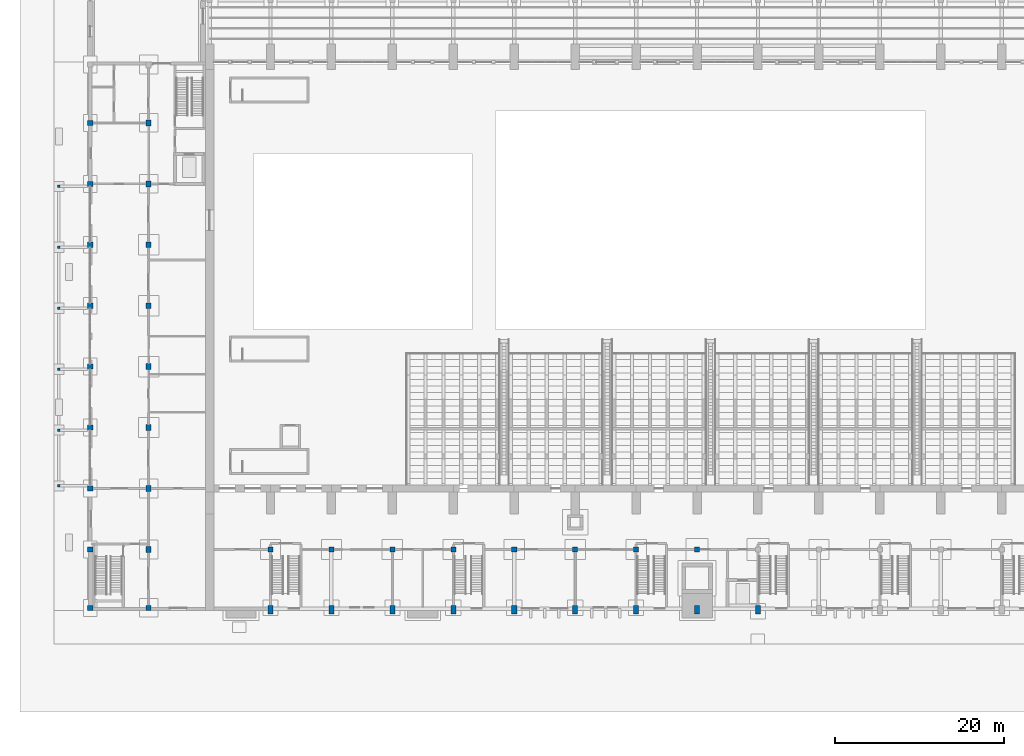
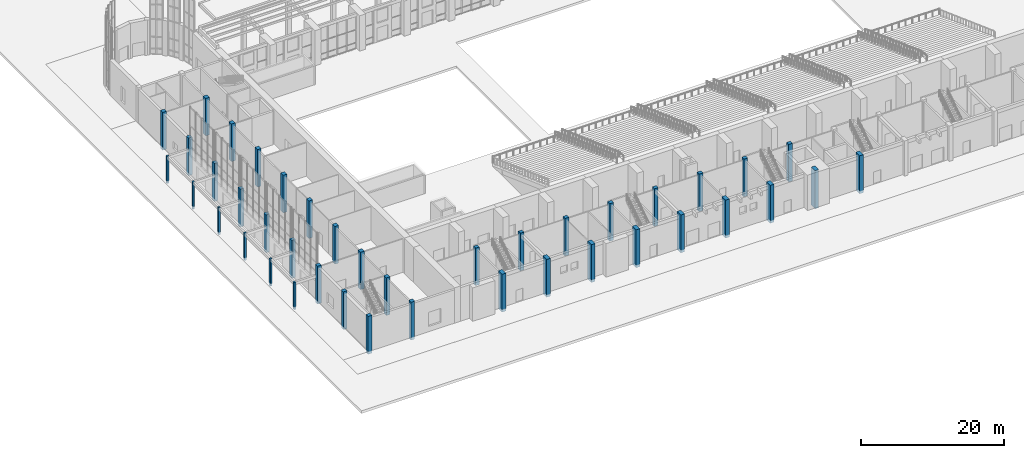
# One storey, part 4 of 70: 41 columns.
"""IFC4 building model written with IfcOpenShell, lengths in metres."""

from ifc_helpers import new_model, si_unit, direction, frame, origin, origin_2d, place, context, subcontext, project, spatial, rectangle, extrude, material, material_profile, profile_set, type_object, element, save


model = new_model("IFC4")

# Units and contexts
model_context = context("Model", 3, precision=1e-05, world=origin(), true_north=direction((0.0, 1.0)))
body_context = subcontext(model_context, "Body", "Model", "MODEL_VIEW")
ifc_project = project(units=[si_unit("LENGTHUNIT", "METRE"), si_unit("AREAUNIT", "SQUARE_METRE"), si_unit("VOLUMEUNIT", "CUBIC_METRE"), si_unit("PLANEANGLEUNIT", "RADIAN"), si_unit("MASSUNIT", "GRAM", prefix="KILO")], contexts=[model_context])

# Site, building, storey
site_placement = place(None, origin())
site = spatial("IfcSite", under=ifc_project, at=site_placement, CompositionType="ELEMENT")
building_placement = place(site_placement, origin())
building = spatial("IfcBuilding", under=site, at=building_placement, Name="Vermilion Court Aquatics Centre", CompositionType="ELEMENT")
storey_placement = place(building_placement, origin())
storey = spatial("IfcBuildingStorey", under=building, at=storey_placement, Name="L00", CompositionType="ELEMENT", Elevation=0.0)

# Columns
ifc_material_1 = material(Name="Concrete 5000 psi", Category="concrete")
ifc_material_profile_1 = material_profile(ifc_material_1, rectangle(XDim=0.300048828125, YDim=0.300048828125, at=origin_2d()), Name="RC 300x300")
ifc_profile_set_1 = profile_set([ifc_material_profile_1], Name="Concrete 5000 psi")
column_type_1 = type_object("IfcColumnType", Name="Foyer canopy column RC 300x300", PredefinedType="COLUMN", material=ifc_profile_set_1)
for number, where, z_axis, x_axis, name in (
    (1, (-3.39990234375, 14.699951171875, -0.449951171875), (0.0, 0.0, 1.0), (1.0, 0.0, 0.0), "Foyer canopy column"),
    (2, (-3.39990234375, 21.300048828125, -0.449951171875), (0.0, 0.0, 1.0), (1.0, 0.0, 0.0), "Foyer canopy column"),
    (3, (-3.39990234375, 28.5, -0.449951171875), (0.0, 0.0, 1.0), (1.0, 0.0, 0.0), "Foyer canopy column"),
    (4, (-3.39990234375, 35.699951171875, -0.449951171875), (0.0, 0.0, 1.0), (1.0, 0.0, 0.0), "Foyer canopy column"),
    (5, (-3.39990234375, 42.89990234375, -0.449951171875), (0.0, 0.0, 1.0), (1.0, 0.0, 0.0), "Foyer canopy column"),
    (6, (-3.39990234375, 50.10009765625, -0.449951171875), (0.0, 0.0, 1.0), (1.0, 0.0, 0.0), "Foyer canopy column"),
):
    element("IfcColumn", number, at=place(storey_placement, frame(where, z_axis=z_axis, x_axis=x_axis)), inside=storey, type_object=column_type_1, Name=name, PredefinedType="COLUMN", context=body_context, shape_type="SweptSolid", body=[
        extrude(rectangle(XDim=0.300048828125, YDim=0.300048828125, at=origin_2d()), origin(), (0.0, 0.0, 1.0), 4.64990234375),
    ])
ifc_material_2 = material(Name="Concrete 5000 psi", Category="concrete")
ifc_material_profile_2 = material_profile(ifc_material_2, rectangle(XDim=0.60009765625, YDim=0.60009765625, at=origin_2d()), Name="RC 600x600")
ifc_profile_set_2 = profile_set([ifc_material_profile_2], Name="Concrete 5000 psi")
column_type_2 = type_object("IfcColumnType", Name="Foyer column RC 600x600", PredefinedType="COLUMN", material=ifc_profile_set_2)
for number, where, z_axis, x_axis, name in (
    (7, (0.300048828125, 0.300048828125, -0.449951171875), (0.0, 0.0, 1.0), (1.0, 0.0, 0.0), "Foyer column 1"),
    (8, (0.300048828125, 7.199951171875, -0.449951171875), (0.0, 0.0, 1.0), (1.0, 0.0, 0.0), "Foyer column 2"),
    (9, (0.300048828125, 14.39990234375, -0.449951171875), (0.0, 0.0, 1.0), (1.0, 0.0, 0.0), "Foyer column 3"),
    (10, (0.300048828125, 21.60009765625, -0.449951171875), (0.0, 0.0, 1.0), (1.0, 0.0, 0.0), "Foyer column 4"),
    (11, (0.300048828125, 28.800048828125, -0.449951171875), (0.0, 0.0, 1.0), (1.0, 0.0, 0.0), "Foyer column 5"),
    (12, (0.300048828125, 36.0, -0.449951171875), (0.0, 0.0, 1.0), (1.0, 0.0, 0.0), "Foyer column 6"),
    (13, (0.300048828125, 43.199951171875, -0.449951171875), (0.0, 0.0, 1.0), (1.0, 0.0, 0.0), "Foyer column 7"),
    (14, (0.300048828125, 50.39990234375, -0.449951171875), (0.0, 0.0, 1.0), (1.0, 0.0, 0.0), "Foyer column 8"),
    (15, (0.300048828125, 57.60009765625, -0.449951171875), (0.0, 0.0, 1.0), (1.0, 0.0, 0.0), "Foyer column 9"),
    (16, (7.199951171875, 0.300048828125, -0.449951171875), (0.0, 0.0, 1.0), (1.0, 0.0, 0.0), "Foyer column 11"),
):
    element("IfcColumn", number, at=place(storey_placement, frame(where, z_axis=z_axis, x_axis=x_axis)), inside=storey, type_object=column_type_2, Name=name, PredefinedType="COLUMN", context=body_context, shape_type="SweptSolid", body=[
        extrude(rectangle(XDim=0.60009765625, YDim=0.60009765625, at=origin_2d()), origin(), (0.0, 0.0, 1.0), 6.449951171875),
    ])
ifc_material_3 = material(Name="Concrete 5000 psi", Category="concrete")
ifc_material_profile_3 = material_profile(ifc_material_3, rectangle(XDim=0.60009765625, YDim=0.699951171875, at=origin_2d()), Name="RC 600x700")
ifc_profile_set_3 = profile_set([ifc_material_profile_3], Name="Concrete 5000 psi")
column_type_3 = type_object("IfcColumnType", Name="Foyer column RC 600x700", PredefinedType="COLUMN", material=ifc_profile_set_3)
for number, where, z_axis, x_axis, name in (
    (17, (7.199951171875, 7.199951171875, -0.405029296875), (0.0, 0.0, 1.0), (1.0, 0.0, 0.0), "Foyer column 12"),
    (18, (7.199951171875, 14.39990234375, -0.405029296875), (0.0, 0.0, 1.0), (1.0, 0.0, 0.0), "Foyer column 13"),
    (19, (7.199951171875, 21.60009765625, -0.405029296875), (0.0, 0.0, 1.0), (1.0, 0.0, 0.0), "Foyer column 14"),
    (20, (7.199951171875, 28.800048828125, -0.405029296875), (0.0, 0.0, 1.0), (1.0, 0.0, 0.0), "Foyer column 15"),
    (21, (7.199951171875, 36.0, -0.405029296875), (0.0, 0.0, 1.0), (1.0, 0.0, 0.0), "Foyer column 16"),
    (22, (7.199951171875, 43.199951171875, -0.405029296875), (0.0, 0.0, 1.0), (1.0, 0.0, 0.0), "Foyer column 17"),
    (23, (7.199951171875, 50.39990234375, -0.405029296875), (0.0, 0.0, 1.0), (1.0, 0.0, 0.0), "Foyer column 18"),
    (24, (7.199951171875, 57.60009765625, -0.405029296875), (0.0, 0.0, 1.0), (1.0, 0.0, 0.0), "Foyer column 19"),
):
    element("IfcColumn", number, at=place(storey_placement, frame(where, z_axis=z_axis, x_axis=x_axis)), inside=storey, type_object=column_type_3, Name=name, PredefinedType="COLUMN", context=body_context, shape_type="SweptSolid", body=[
        extrude(rectangle(XDim=0.60009765625, YDim=0.699951171875, at=origin_2d()), origin(), (0.0, 0.0, 1.0), 6.405029296875),
    ])
ifc_material_4 = material(Name="Concrete 5000 psi", Category="concrete")
ifc_material_profile_4 = material_profile(ifc_material_4, rectangle(XDim=0.60009765625, YDim=0.60009765625, at=origin_2d()), Name="RC 600x600")
ifc_profile_set_4 = profile_set([ifc_material_profile_4], Name="Concrete 5000 psi")
column_type_4 = type_object("IfcColumnType", Name="South column RC 600x600", PredefinedType="COLUMN", material=ifc_profile_set_4)
for number, where, z_axis, x_axis, name in (
    (25, (21.60009765625, 7.199951171875, -0.405029296875), (0.0, 0.0, 1.0), (1.0, 0.0, 0.0), "Column B1"),
    (26, (28.800048828125, 7.199951171875, -0.405029296875), (0.0, 0.0, 1.0), (1.0, 0.0, 0.0), "Column B2"),
    (27, (36.0, 7.199951171875, -0.405029296875), (0.0, 0.0, 1.0), (1.0, 0.0, 0.0), "Column B3"),
    (28, (43.199951171875, 7.199951171875, -0.405029296875), (0.0, 0.0, 1.0), (1.0, 0.0, 0.0), "Column B4"),
    (29, (50.39990234375, 7.199951171875, -0.405029296875), (0.0, 0.0, 1.0), (1.0, 0.0, 0.0), "Column B5"),
    (30, (57.60009765625, 7.199951171875, -0.405029296875), (0.0, 0.0, 1.0), (1.0, 0.0, 0.0), "Column B6"),
    (31, (64.800048828125, 7.199951171875, -0.405029296875), (0.0, 0.0, 1.0), (1.0, 0.0, 0.0), "Column B7"),
    (32, (72.0, 7.199951171875, -0.405029296875), (0.0, 0.0, 1.0), (1.0, 0.0, 0.0), "Column B8"),
):
    element("IfcColumn", number, at=place(storey_placement, frame(where, z_axis=z_axis, x_axis=x_axis)), inside=storey, type_object=column_type_4, Name=name, PredefinedType="COLUMN", context=body_context, shape_type="SweptSolid", body=[
        extrude(rectangle(XDim=0.60009765625, YDim=0.60009765625, at=origin_2d()), origin(), (0.0, 0.0, 1.0), 6.405029296875),
    ])
ifc_material_5 = material(Name="Concrete 5000 psi", Category="concrete")
ifc_material_profile_5 = material_profile(ifc_material_5, rectangle(XDim=0.60009765625, YDim=1.050048828125, at=origin_2d()), Name="RC 600x1050")
ifc_profile_set_5 = profile_set([ifc_material_profile_5], Name="Concrete 5000 psi")
column_type_5 = type_object("IfcColumnType", Name="South pier RC 600x1050", PredefinedType="COLUMN", material=ifc_profile_set_5)
for number, where, z_axis, x_axis, name in (
    (33, (21.60009765625, 0.074951171875, -0.449951171875), (0.0, 0.0, 1.0), (1.0, 0.0, 0.0), "Column A1"),
    (34, (28.800048828125, 0.074951171875, -0.449951171875), (0.0, 0.0, 1.0), (1.0, 0.0, 0.0), "Column A2"),
    (35, (36.0, 0.074951171875, -0.449951171875), (0.0, 0.0, 1.0), (1.0, 0.0, 0.0), "Column A3"),
    (36, (43.199951171875, 0.074951171875, -0.449951171875), (0.0, 0.0, 1.0), (1.0, 0.0, 0.0), "Column A4"),
    (37, (50.39990234375, 0.074951171875, -0.449951171875), (0.0, 0.0, 1.0), (1.0, 0.0, 0.0), "Column A5"),
    (38, (57.60009765625, 0.074951171875, -0.449951171875), (0.0, 0.0, 1.0), (1.0, 0.0, 0.0), "Column A6"),
    (39, (64.800048828125, 0.074951171875, -0.449951171875), (0.0, 0.0, 1.0), (1.0, 0.0, 0.0), "Column A7"),
):
    element("IfcColumn", number, at=place(storey_placement, frame(where, z_axis=z_axis, x_axis=x_axis)), inside=storey, type_object=column_type_5, Name=name, PredefinedType="COLUMN", context=body_context, shape_type="SweptSolid", body=[
        extrude(rectangle(XDim=0.60009765625, YDim=1.050048828125, at=origin_2d()), origin(), (0.0, 0.0, 1.0), 6.449951171875),
    ])
column_1_placement = place(storey_placement, frame((72.0, 0.074951171875, -0.5), z_axis=(0.0, 0.0, 1.0), x_axis=(1.0, 0.0, 0.0)))
element("IfcColumn", 40, at=column_1_placement, inside=storey, type_object=column_type_5, Name="Column A8", PredefinedType="COLUMN", context=body_context, shape_type="SweptSolid", body=[
    extrude(rectangle(XDim=0.60009765625, YDim=1.050048828125, at=origin_2d()), origin(), (0.0, 0.0, 1.0), 6.5),
])
column_2_placement = place(storey_placement, frame((79.199951171875, 0.074951171875, -0.449951171875), z_axis=(0.0, 0.0, 1.0), x_axis=(1.0, 0.0, 0.0)))
element("IfcColumn", 41, at=column_2_placement, inside=storey, type_object=column_type_5, Name="Column A9", PredefinedType="COLUMN", context=body_context, shape_type="SweptSolid", body=[
    extrude(rectangle(XDim=0.60009765625, YDim=1.050048828125, at=origin_2d()), origin(), (0.0, 0.0, 1.0), 6.449951171875),
])

save(model, "model.ifc")
